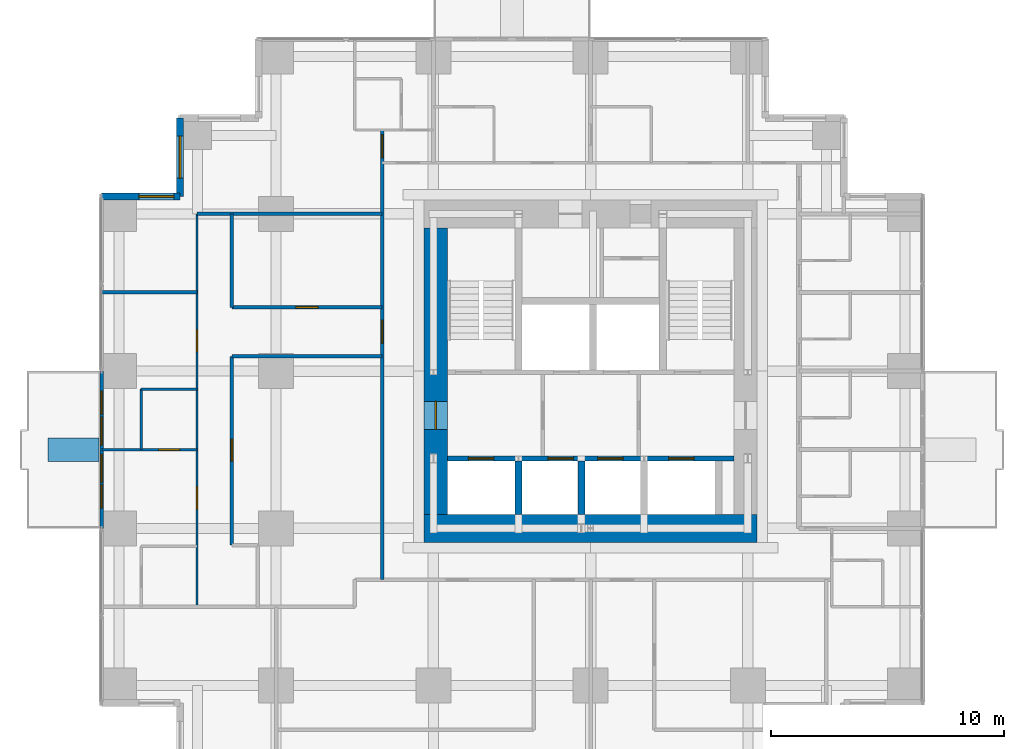
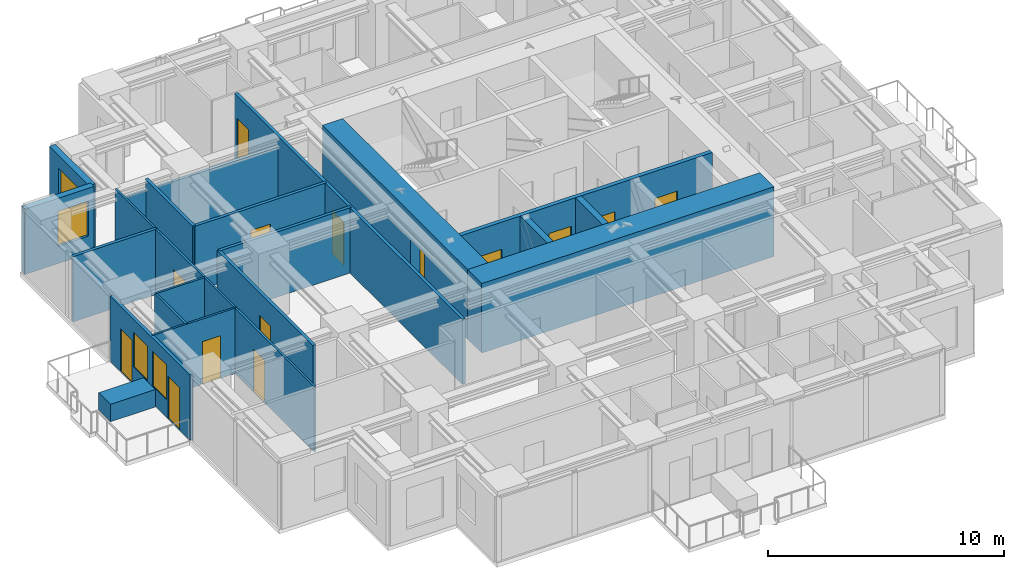
# One storey, part 6 of 10: 20 walls, 14 doors, 4 windows, 18 openings.
"""IFC4 building model written with IfcOpenShell, lengths in metres."""

from ifc_helpers import new_model, si_unit, direction, frame, frame_2d, origin, place, context, subcontext, project, spatial, rectangle, extrude, material, layer, layer_set, type_object, element, fill, save


model = new_model("IFC4")

# Units and contexts
model_context = context("Model", 3, precision=1e-05, world=origin(), true_north=direction((0.0, 1.0)))
body_context = subcontext(model_context, "Body", "Model", "MODEL_VIEW")
ifc_project = project(units=[si_unit("LENGTHUNIT", "METRE"), si_unit("AREAUNIT", "SQUARE_METRE"), si_unit("VOLUMEUNIT", "CUBIC_METRE"), si_unit("PLANEANGLEUNIT", "RADIAN"), si_unit("MASSUNIT", "GRAM", prefix="KILO")], contexts=[model_context])

# Site, building, storey
site_placement = place(None, origin())
site = spatial("IfcSite", under=ifc_project, at=site_placement, CompositionType="ELEMENT")
building_placement = place(site_placement, origin())
building = spatial("IfcBuilding", under=site, at=building_placement, Name="Nyansa Garden Tower", CompositionType="ELEMENT")
storey_placement = place(building_placement, frame((0.0, 0.0, 163.800048828125)))
storey = spatial("IfcBuildingStorey", under=building, at=storey_placement, Name="L44", CompositionType="ELEMENT", Elevation=163.800048828125)

# Wall, openings, doors, windows
ifc_material_1 = material(Name="Black aluminium framed glazed screen", Category="aluminium")
ifc_layer_1 = layer(ifc_material_1, 0.14990234375)
ifc_layer_set_1 = layer_set([ifc_layer_1], Name="Balcony screen wall BW150")
wall_type_1 = type_object("IfcWallType", Name="Balcony screen wall BW150", PredefinedType="SOLIDWALL", material=ifc_layer_set_1)
wall_1_placement = place(storey_placement, frame((-0.75, 13.5, 0.0), z_axis=(0.0, 0.0, 1.0), x_axis=(0.0, 1.0, 0.0)))
wall_1 = element("IfcWall", 1, at=wall_1_placement, inside=storey, type_object=wall_type_1, Name="Glazed screen wall L44 W", PredefinedType="SOLIDWALL", context=body_context, shape_type="SweptSolid", body=[
    extrude(rectangle(XDim=6.75, YDim=0.14990234375, at=frame_2d((3.375, 0.0))), origin(), (0.0, 0.0, 1.0), 3.375),
])
opening_1_placement = place(wall_1_placement, frame((0.862548828125, 0.0, 0.0)))
opening_1 = element("IfcOpeningElement", 2, at=opening_1_placement, cuts=wall_1, Name="Opening D20", PredefinedType="OPENING", context=body_context, shape_type="SweptSolid", body=[
    extrude(rectangle(XDim=1.0, YDim=2.199951171875, at=frame_2d((0.5, 1.10009765625))), frame((0.0, 0.0849609375, 0.0), z_axis=(0.0, -1.0, 0.0), x_axis=(1.0, 0.0, 0.0)), (0.0, 0.0, 1.0), 0.169921875),
])
opening_2_placement = place(wall_1_placement, frame((1.97509765625, 0.0, 0.89990234375)))
opening_2 = element("IfcOpeningElement", 3, at=opening_2_placement, cuts=wall_1, Name="Opening W6", PredefinedType="OPENING", context=body_context, shape_type="SweptSolid", body=[
    extrude(rectangle(XDim=1.199951171875, YDim=1.800048828125, at=frame_2d((0.60009765625, 0.89990234375))), frame((0.0, 0.0849609375, 0.0), z_axis=(0.0, -1.0, 0.0), x_axis=(1.0, 0.0, 0.0)), (0.0, 0.0, 1.0), 0.169921875),
])
opening_3_placement = place(wall_1_placement, frame((4.887451171875, 0.0, 0.0)))
opening_3 = element("IfcOpeningElement", 4, at=opening_3_placement, cuts=wall_1, Name="Opening D20", PredefinedType="OPENING", context=body_context, shape_type="SweptSolid", body=[
    extrude(rectangle(XDim=1.0, YDim=2.199951171875, at=frame_2d((0.5, 1.10009765625))), frame((0.0, 0.0849609375, 0.0), z_axis=(0.0, -1.0, 0.0), x_axis=(1.0, 0.0, 0.0)), (0.0, 0.0, 1.0), 0.169921875),
])
opening_4_placement = place(wall_1_placement, frame((3.574951171875, 0.0, 0.89990234375)))
opening_4 = element("IfcOpeningElement", 5, at=opening_4_placement, cuts=wall_1, Name="Opening W6", PredefinedType="OPENING", context=body_context, shape_type="SweptSolid", body=[
    extrude(rectangle(XDim=1.199951171875, YDim=1.800048828125, at=frame_2d((0.60009765625, 0.89990234375))), frame((0.0, 0.0849609375, 0.0), z_axis=(0.0, -1.0, 0.0), x_axis=(1.0, 0.0, 0.0)), (0.0, 0.0, 1.0), 0.169921875),
])
ifc_material_2 = material(Name="Black aluminium framed glazed door", Category="aluminium")
door_type_1 = type_object("IfcDoorType", Name="Balcony door D20 1000x2200", OperationType="NOTDEFINED", PredefinedType="DOOR", material=ifc_material_2)
door_1_placement = place(opening_1_placement, origin())
door_1 = element("IfcDoor", 6, at=door_1_placement, inside=storey, type_object=door_type_1, Name="Balcony door L44", OperationType="SINGLE_SWING_LEFT", OverallHeight=2.199951171875, OverallWidth=1.0, PredefinedType="DOOR", context=body_context, shape_type="SweptSolid", body=[
    extrude(rectangle(XDim=1.0, YDim=2.199951171875, at=frame_2d((0.5, 1.10009765625))), frame((0.0, 0.02490234375, 0.0), z_axis=(0.0, -1.0, 0.0), x_axis=(1.0, 0.0, 0.0)), (0.0, 0.0, 1.0), 0.050048828125),
])
fill(opening_1, door_1)
door_2_placement = place(opening_3_placement, origin())
door_2 = element("IfcDoor", 7, at=door_2_placement, inside=storey, type_object=door_type_1, Name="Balcony door L44", OperationType="SINGLE_SWING_RIGHT", OverallHeight=2.199951171875, OverallWidth=1.0, PredefinedType="DOOR", context=body_context, shape_type="SweptSolid", body=[
    extrude(rectangle(XDim=1.0, YDim=2.199951171875, at=frame_2d((0.5, 1.10009765625))), frame((0.0, 0.02490234375, 0.0), z_axis=(0.0, -1.0, 0.0), x_axis=(1.0, 0.0, 0.0)), (0.0, 0.0, 1.0), 0.050048828125),
])
fill(opening_3, door_2)
ifc_material_3 = material(Name="Black aluminium frame, dark tinted double glazing", Category="aluminium")
window_type_1 = type_object("IfcWindowType", Name="Balcony window W6 1200x1800", PartitioningType="SINGLE_PANEL", PredefinedType="WINDOW", material=ifc_material_3)
window_1_placement = place(opening_2_placement, origin())
window_1 = element("IfcWindow", 8, at=window_1_placement, inside=storey, type_object=window_type_1, Name="Window L44", OverallHeight=1.800048828125, OverallWidth=1.199951171875, PartitioningType="SINGLE_PANEL", PredefinedType="WINDOW", context=body_context, shape_type="SweptSolid", body=[
    extrude(rectangle(XDim=1.199951171875, YDim=1.800048828125, at=frame_2d((0.60009765625, 0.89990234375))), frame((0.0, 0.030029296875, 0.0), z_axis=(0.0, -1.0, 0.0), x_axis=(1.0, 0.0, 0.0)), (0.0, 0.0, 1.0), 0.06005859375),
])
fill(opening_2, window_1)
window_2_placement = place(opening_4_placement, origin())
window_2 = element("IfcWindow", 9, at=window_2_placement, inside=storey, type_object=window_type_1, Name="Window L44", OverallHeight=1.800048828125, OverallWidth=1.199951171875, PartitioningType="SINGLE_PANEL", PredefinedType="WINDOW", context=body_context, shape_type="SweptSolid", body=[
    extrude(rectangle(XDim=1.199951171875, YDim=1.800048828125, at=frame_2d((0.60009765625, 0.89990234375))), frame((0.0, 0.030029296875, 0.0), z_axis=(0.0, -1.0, 0.0), x_axis=(1.0, 0.0, 0.0)), (0.0, 0.0, 1.0), 0.06005859375),
])
fill(opening_4, window_2)

# Wall, openings, doors
ifc_material_4 = material(Name="Concrete C70/85", Category="concrete")
ifc_layer_2 = layer(ifc_material_4, 0.199951171875)
ifc_layer_set_2 = layer_set([ifc_layer_2], Name="Core inner wall CI200")
wall_type_2 = type_object("IfcWallType", Name="Core inner wall CI200", PredefinedType="SHEAR", material=ifc_layer_set_2)
wall_2_placement = place(storey_placement, frame((14.10009765625, 16.5, 0.0), z_axis=(0.0, 0.0, 1.0), x_axis=(1.0, 0.0, 0.0)))
wall_2 = element("IfcWall", 10, at=wall_2_placement, inside=storey, type_object=wall_type_2, Name="Core inner wall L44", PredefinedType="SHEAR", context=body_context, shape_type="SweptSolid", body=[
    extrude(rectangle(XDim=12.2998046875, YDim=0.199951171875, at=frame_2d((6.14990234375, 0.0))), origin(), (0.0, 0.0, 1.0), 3.599853515625),
])
opening_5_placement = place(wall_2_placement, frame((0.89990234375, 0.0, 0.0)))
opening_5 = element("IfcOpeningElement", 11, at=opening_5_placement, cuts=wall_2, Name="Opening LD-F", PredefinedType="OPENING", context=body_context, shape_type="SweptSolid", body=[
    extrude(rectangle(XDim=1.10009765625, YDim=2.199951171875, at=frame_2d((0.550048828125, 1.10009765625))), frame((0.0, 0.10986328125, 0.0), z_axis=(0.0, -1.0, 0.0), x_axis=(1.0, 0.0, 0.0)), (0.0, 0.0, 1.0), 0.219970703125),
])
opening_6_placement = place(wall_2_placement, frame((4.31005859375, 0.0, 0.0)))
opening_6 = element("IfcOpeningElement", 12, at=opening_6_placement, cuts=wall_2, Name="Opening LD-B", PredefinedType="OPENING", context=body_context, shape_type="SweptSolid", body=[
    extrude(rectangle(XDim=1.10009765625, YDim=2.199951171875, at=frame_2d((0.550048828125, 1.10009765625))), frame((0.0, 0.10986328125, 0.0), z_axis=(0.0, -1.0, 0.0), x_axis=(1.0, 0.0, 0.0)), (0.0, 0.0, 1.0), 0.219970703125),
])
opening_7_placement = place(wall_2_placement, frame((6.449951171875, 0.0, 0.0)))
opening_7 = element("IfcOpeningElement", 13, at=opening_7_placement, cuts=wall_2, Name="Opening LD-B", PredefinedType="OPENING", context=body_context, shape_type="SweptSolid", body=[
    extrude(rectangle(XDim=1.10009765625, YDim=2.199951171875, at=frame_2d((0.550048828125, 1.10009765625))), frame((0.0, 0.10986328125, 0.0), z_axis=(0.0, -1.0, 0.0), x_axis=(1.0, 0.0, 0.0)), (0.0, 0.0, 1.0), 0.219970703125),
])
opening_8_placement = place(wall_2_placement, frame((9.5, 0.0, 0.0)))
opening_8 = element("IfcOpeningElement", 14, at=opening_8_placement, cuts=wall_2, Name="Opening LD-F", PredefinedType="OPENING", context=body_context, shape_type="SweptSolid", body=[
    extrude(rectangle(XDim=1.10009765625, YDim=2.199951171875, at=frame_2d((0.550048828125, 1.10009765625))), frame((0.0, 0.10986328125, 0.0), z_axis=(0.0, -1.0, 0.0), x_axis=(1.0, 0.0, 0.0)), (0.0, 0.0, 1.0), 0.219970703125),
])
ifc_material_5 = material(Name="Stainless steel centre-opening landing door of the high-rise lift, E 120", Category="steel")
door_type_2 = type_object("IfcDoorType", Name="Lift landing door LD-B 1100x2200", OperationType="DOUBLE_DOOR_SLIDING", PredefinedType="DOOR", material=ifc_material_5)
door_3_placement = place(opening_6_placement, origin())
door_3 = element("IfcDoor", 15, at=door_3_placement, inside=storey, type_object=door_type_2, Name="Landing door B1", OperationType="DOUBLE_DOOR_SLIDING", OverallHeight=2.199951171875, OverallWidth=1.10009765625, PredefinedType="DOOR", context=body_context, shape_type="SweptSolid", body=[
    extrude(rectangle(XDim=1.10009765625, YDim=2.199951171875, at=frame_2d((0.550048828125, 1.10009765625))), frame((0.0, 0.02490234375, 0.0), z_axis=(0.0, -1.0, 0.0), x_axis=(1.0, 0.0, 0.0)), (0.0, 0.0, 1.0), 0.050048828125),
])
fill(opening_6, door_3)
door_4_placement = place(opening_7_placement, origin())
door_4 = element("IfcDoor", 16, at=door_4_placement, inside=storey, type_object=door_type_2, Name="Landing door B2", OperationType="DOUBLE_DOOR_SLIDING", OverallHeight=2.199951171875, OverallWidth=1.10009765625, PredefinedType="DOOR", context=body_context, shape_type="SweptSolid", body=[
    extrude(rectangle(XDim=1.10009765625, YDim=2.199951171875, at=frame_2d((0.550048828125, 1.10009765625))), frame((0.0, 0.02490234375, 0.0), z_axis=(0.0, -1.0, 0.0), x_axis=(1.0, 0.0, 0.0)), (0.0, 0.0, 1.0), 0.050048828125),
])
fill(opening_7, door_4)
ifc_material_6 = material(Name="Stainless steel centre-opening landing door of the firefighting lift, EN 81-72, E 120", Category="steel")
door_type_3 = type_object("IfcDoorType", Name="Lift landing door LD-F 1100x2200", OperationType="DOUBLE_DOOR_SLIDING", PredefinedType="DOOR", material=ifc_material_6)
door_5_placement = place(opening_5_placement, origin())
door_5 = element("IfcDoor", 17, at=door_5_placement, inside=storey, type_object=door_type_3, Name="Landing door FF1", OperationType="DOUBLE_DOOR_SLIDING", OverallHeight=2.199951171875, OverallWidth=1.10009765625, PredefinedType="DOOR", context=body_context, shape_type="SweptSolid", body=[
    extrude(rectangle(XDim=1.10009765625, YDim=2.199951171875, at=frame_2d((0.550048828125, 1.10009765625))), frame((0.0, 0.02490234375, 0.0), z_axis=(0.0, -1.0, 0.0), x_axis=(1.0, 0.0, 0.0)), (0.0, 0.0, 1.0), 0.050048828125),
])
fill(opening_5, door_5)
door_6_placement = place(opening_8_placement, origin())
door_6 = element("IfcDoor", 18, at=door_6_placement, inside=storey, type_object=door_type_3, Name="Landing door FF2", OperationType="DOUBLE_DOOR_SLIDING", OverallHeight=2.199951171875, OverallWidth=1.10009765625, PredefinedType="DOOR", context=body_context, shape_type="SweptSolid", body=[
    extrude(rectangle(XDim=1.10009765625, YDim=2.199951171875, at=frame_2d((0.550048828125, 1.10009765625))), frame((0.0, 0.02490234375, 0.0), z_axis=(0.0, -1.0, 0.0), x_axis=(1.0, 0.0, 0.0)), (0.0, 0.0, 1.0), 0.050048828125),
])
fill(opening_8, door_6)

# Walls
ifc_material_7 = material(Name="Concrete C70/85", Category="concrete")
ifc_layer_3 = layer(ifc_material_7, 0.300048828125)
ifc_layer_set_3 = layer_set([ifc_layer_3], Name="Core inner wall CI300")
wall_type_3 = type_object("IfcWallType", Name="Core inner wall CI300", PredefinedType="SHEAR", material=ifc_layer_set_3)
for number, where, z_axis, x_axis, name in (
    (19, (17.14990234375, 14.10009765625, 0.0), (0.0, 0.0, 1.0), (0.0, 1.0, 0.0), "Core inner wall L44"),
    (20, (19.85009765625, 14.10009765625, 0.0), (0.0, 0.0, 1.0), (0.0, 1.0, 0.0), "Core inner wall L44"),
):
    element("IfcWall", number, at=place(storey_placement, frame(where, z_axis=z_axis, x_axis=x_axis)), inside=storey, type_object=wall_type_3, Name=name, PredefinedType="SHEAR", context=body_context, shape_type="SweptSolid", body=[
        extrude(rectangle(XDim=2.2998046875, YDim=0.300048828125, at=frame_2d((1.14990234375, 0.0))), origin(), (0.0, 0.0, 1.0), 3.599853515625),
    ])

# Wall, opening, door
ifc_material_8 = material(Name="Concrete C80/95", Category="concrete")
ifc_layer_4 = layer(ifc_material_8, 1.0)
ifc_layer_set_4 = layer_set([ifc_layer_4], Name="Core wall CW1000")
wall_type_4 = type_object("IfcWallType", Name="Core wall CW1000", PredefinedType="SHEAR", material=ifc_layer_set_4)
wall_3_placement = place(storey_placement, frame((13.60009765625, 26.39990234375, 0.0), z_axis=(0.0, 0.0, 1.0), x_axis=(0.0, -1.0, 0.0)))
wall_3 = element("IfcWall", 21, at=wall_3_placement, inside=storey, type_object=wall_type_4, Name="Core wall W L44", PredefinedType="SHEAR", context=body_context, shape_type="SweptSolid", body=[
    extrude(rectangle(XDim=12.2998046875, YDim=1.0, at=frame_2d((6.14990234375, 0.0))), origin(), (0.0, 0.0, 1.0), 3.599853515625),
])
opening_9_placement = place(wall_3_placement, frame((7.449951171875, 0.0, 0.0)))
opening_9 = element("IfcOpeningElement", 22, at=opening_9_placement, cuts=wall_3, Name="Opening D06", PredefinedType="OPENING", context=body_context, shape_type="SweptSolid", body=[
    extrude(rectangle(XDim=1.199951171875, YDim=2.199951171875, at=frame_2d((0.60009765625, 1.10009765625))), frame((0.0, 0.510009765625, 0.0), z_axis=(0.0, -1.0, 0.0), x_axis=(1.0, 0.0, 0.0)), (0.0, 0.0, 1.0), 1.02001953125),
])
ifc_material_9 = material(Name="Steel door, 120 minute fire resisting", Category="steel")
door_type_4 = type_object("IfcDoorType", Name="Lobby door D06 1200x2200", OperationType="DOUBLE_DOOR_SINGLE_SWING", PredefinedType="DOOR", material=ifc_material_9)
door_7_placement = place(opening_9_placement, origin())
door_7 = element("IfcDoor", 23, at=door_7_placement, inside=storey, type_object=door_type_4, Name="Lift lobby door west", OperationType="DOUBLE_DOOR_SINGLE_SWING", OverallHeight=2.199951171875, OverallWidth=1.199951171875, PredefinedType="DOOR", context=body_context, shape_type="SweptSolid", body=[
    extrude(rectangle(XDim=1.199951171875, YDim=2.199951171875, at=frame_2d((0.60009765625, 1.10009765625))), frame((0.0, 0.02490234375, 0.0), z_axis=(0.0, -1.0, 0.0), x_axis=(1.0, 0.0, 0.0)), (0.0, 0.0, 1.0), 0.050048828125),
])
fill(opening_9, door_7)

# Walls
ifc_material_10 = material(Name="Concrete C80/95", Category="concrete")
ifc_layer_5 = layer(ifc_material_10, 1.199951171875)
ifc_layer_set_5 = layer_set([ifc_layer_5], Name="Core wall CW1200")
wall_type_5 = type_object("IfcWallType", Name="Core wall CW1200", PredefinedType="SHEAR", material=ifc_layer_set_5)
wall_4_placement = place(storey_placement, frame((13.10009765625, 13.5, 0.0), z_axis=(0.0, 0.0, 1.0), x_axis=(1.0, 0.0, 0.0)))
element("IfcWall", 24, at=wall_4_placement, inside=storey, type_object=wall_type_5, Name="Core wall S L44", PredefinedType="SHEAR", context=body_context, shape_type="SweptSolid", body=[
    extrude(rectangle(XDim=14.2998046875, YDim=1.199951171875, at=frame_2d((7.14990234375, 0.0))), origin(), (0.0, 0.0, 1.0), 3.599853515625),
])
ifc_material_11 = material(Name="Blockwork, plastered both sides", Category="masonry")
ifc_layer_6 = layer(ifc_material_11, 0.14990234375)
ifc_layer_set_6 = layer_set([ifc_layer_6], Name="Partition PW150")
wall_type_6 = type_object("IfcWallType", Name="Partition PW150", PredefinedType="PARTITIONING", material=ifc_layer_set_6)
wall_5_placement = place(storey_placement, frame((-0.73388671875, 23.625, 0.0), z_axis=(0.0, 0.0, 1.0), x_axis=(1.0, 0.0, 0.0)))
element("IfcWall", 25, at=wall_5_placement, inside=storey, type_object=wall_type_6, Name="Partition", PredefinedType="PARTITIONING", context=body_context, shape_type="SweptSolid", body=[
    extrude(rectangle(XDim=4.083984375, YDim=0.14990234375, at=frame_2d((2.0419921875, 0.0))), origin(), (0.0, 0.0, 1.0), 3.375),
])
wall_6_placement = place(storey_placement, frame((3.35009765625, 27.0, 0.0), z_axis=(0.0, 0.0, 1.0), x_axis=(1.0, 0.0, 0.0)))
element("IfcWall", 26, at=wall_6_placement, inside=storey, type_object=wall_type_6, Name="Partition", PredefinedType="PARTITIONING", context=body_context, shape_type="SweptSolid", body=[
    extrude(rectangle(XDim=7.949951171875, YDim=0.14990234375, at=frame_2d((3.97509765625, 0.0))), origin(), (0.0, 0.0, 1.0), 2.805908203125),
])

# Wall, opening, door
wall_7_placement = place(storey_placement, frame((4.85009765625, 12.77490234375, 0.0), z_axis=(0.0, 0.0, 1.0), x_axis=(0.0, 1.0, 0.0)))
wall_7 = element("IfcWall", 27, at=wall_7_placement, inside=storey, type_object=wall_type_6, Name="Partition", PredefinedType="PARTITIONING", context=body_context, shape_type="SweptSolid", body=[
    extrude(rectangle(XDim=8.112548828125, YDim=0.14990234375, at=frame_2d((4.05615234375, 0.0))), origin(), (0.0, 0.0, 1.0), 3.375),
])
opening_10_placement = place(wall_7_placement, frame((3.60009765625, 0.0, 0.0)))
opening_10 = element("IfcOpeningElement", 28, at=opening_10_placement, cuts=wall_7, Name="Opening D01", PredefinedType="OPENING", context=body_context, shape_type="SweptSolid", body=[
    extrude(rectangle(XDim=0.949951171875, YDim=2.199951171875, at=frame_2d((0.47509765625, 1.10009765625))), frame((0.0, 0.0849609375, 0.0), z_axis=(0.0, -1.0, 0.0), x_axis=(1.0, 0.0, 0.0)), (0.0, 0.0, 1.0), 0.169921875),
])
ifc_material_12 = material(Name="Timber flush door, 30 minute fire resisting", Category="wood")
door_type_5 = type_object("IfcDoorType", Name="Bedroom door D01 950x2200", OperationType="SINGLE_SWING_LEFT", PredefinedType="DOOR", material=ifc_material_12)
door_8_placement = place(opening_10_placement, origin())
door_8 = element("IfcDoor", 29, at=door_8_placement, inside=storey, type_object=door_type_5, Name="Door L44-056", OperationType="SINGLE_SWING_LEFT", OverallHeight=2.199951171875, OverallWidth=0.949951171875, PredefinedType="DOOR", context=body_context, shape_type="SweptSolid", body=[
    extrude(rectangle(XDim=0.949951171875, YDim=2.199951171875, at=frame_2d((0.47509765625, 1.10009765625))), frame((0.0, 0.02490234375, 0.0), z_axis=(0.0, -1.0, 0.0), x_axis=(1.0, 0.0, 0.0)), (0.0, 0.0, 1.0), 0.050048828125),
])
fill(opening_10, door_8)

# Walls
wall_8_placement = place(storey_placement, frame((4.85009765625, 20.886962890625, 0.0), z_axis=(0.0, 0.0, 1.0), x_axis=(1.0, 0.0, 0.0)))
element("IfcWall", 30, at=wall_8_placement, inside=storey, type_object=wall_type_6, Name="Partition", PredefinedType="PARTITIONING", context=body_context, shape_type="SweptSolid", body=[
    extrude(rectangle(XDim=6.449951171875, YDim=0.14990234375, at=frame_2d((3.22509765625, 0.0))), origin(), (0.0, 0.0, 1.0), 3.375),
])
wall_9_placement = place(storey_placement, frame((4.85009765625, 22.987548828125, 0.0), z_axis=(0.0, 0.0, 1.0), x_axis=(0.0, 1.0, 0.0)))
element("IfcWall", 31, at=wall_9_placement, inside=storey, type_object=wall_type_6, Name="Partition", PredefinedType="PARTITIONING", context=body_context, shape_type="SweptSolid", body=[
    extrude(rectangle(XDim=4.012451171875, YDim=0.14990234375, at=frame_2d((2.00634765625, 0.0))), origin(), (0.0, 0.0, 1.0), 3.375),
])

# Wall, opening, door
wall_10_placement = place(storey_placement, frame((4.85009765625, 22.988037109375, 0.0), z_axis=(0.0, 0.0, 1.0), x_axis=(1.0, 0.0, 0.0)))
wall_10 = element("IfcWall", 32, at=wall_10_placement, inside=storey, type_object=wall_type_6, Name="Partition", PredefinedType="PARTITIONING", context=body_context, shape_type="SweptSolid", body=[
    extrude(rectangle(XDim=6.449951171875, YDim=0.14990234375, at=frame_2d((3.22509765625, 0.0))), origin(), (0.0, 0.0, 1.0), 3.375),
])
opening_11_placement = place(wall_10_placement, frame((2.75, 0.0, 0.0)))
opening_11 = element("IfcOpeningElement", 33, at=opening_11_placement, cuts=wall_10, Name="Opening D01", PredefinedType="OPENING", context=body_context, shape_type="SweptSolid", body=[
    extrude(rectangle(XDim=0.949951171875, YDim=2.199951171875, at=frame_2d((0.47509765625, 1.10009765625))), frame((0.0, 0.0849609375, 0.0), z_axis=(0.0, -1.0, 0.0), x_axis=(1.0, 0.0, 0.0)), (0.0, 0.0, 1.0), 0.169921875),
])
door_9_placement = place(opening_11_placement, origin())
door_9 = element("IfcDoor", 34, at=door_9_placement, inside=storey, type_object=door_type_5, Name="Door L44-057", OperationType="SINGLE_SWING_LEFT", OverallHeight=2.199951171875, OverallWidth=0.949951171875, PredefinedType="DOOR", context=body_context, shape_type="SweptSolid", body=[
    extrude(rectangle(XDim=0.949951171875, YDim=2.199951171875, at=frame_2d((0.47509765625, 1.10009765625))), frame((0.0, 0.02490234375, 0.0), z_axis=(0.0, -1.0, 0.0), x_axis=(1.0, 0.0, 0.0)), (0.0, 0.0, 1.0), 0.050048828125),
])
fill(opening_11, door_9)

# Wall, openings, doors
wall_11_placement = place(storey_placement, frame((11.300048828125, 11.300048828125, 0.0), z_axis=(0.0, 0.0, 1.0), x_axis=(0.0, 1.0, 0.0)))
wall_11 = element("IfcWall", 35, at=wall_11_placement, inside=storey, type_object=wall_type_6, Name="Partition", PredefinedType="PARTITIONING", context=body_context, shape_type="SweptSolid", body=[
    extrude(rectangle(XDim=19.300048828125, YDim=0.14990234375, at=frame_2d((9.64990234375, 0.0))), origin(), (0.0, 0.0, 1.0), 3.375),
])
opening_12_placement = place(wall_11_placement, frame((18.10009765625, 0.0, 0.0)))
opening_12 = element("IfcOpeningElement", 36, at=opening_12_placement, cuts=wall_11, Name="Opening D03", PredefinedType="OPENING", context=body_context, shape_type="SweptSolid", body=[
    extrude(rectangle(XDim=1.0, YDim=2.199951171875, at=frame_2d((0.5, 1.10009765625))), frame((0.0, 0.0849609375, 0.0), z_axis=(0.0, -1.0, 0.0), x_axis=(1.0, 0.0, 0.0)), (0.0, 0.0, 1.0), 0.169921875),
])
opening_13_placement = place(wall_11_placement, frame((10.137451171875, 0.0, 0.0)))
opening_13 = element("IfcOpeningElement", 37, at=opening_13_placement, cuts=wall_11, Name="Opening D03", PredefinedType="OPENING", context=body_context, shape_type="SweptSolid", body=[
    extrude(rectangle(XDim=1.0, YDim=2.199951171875, at=frame_2d((0.5, 1.10009765625))), frame((0.0, 0.0849609375, 0.0), z_axis=(0.0, -1.0, 0.0), x_axis=(1.0, 0.0, 0.0)), (0.0, 0.0, 1.0), 0.169921875),
])
ifc_material_13 = material(Name="Timber flush door, 60 minute fire resisting", Category="wood")
door_type_6 = type_object("IfcDoorType", Name="Cluster entrance door D03 1000x2200", OperationType="SINGLE_SWING_LEFT", PredefinedType="DOOR", material=ifc_material_13)
door_10_placement = place(opening_12_placement, origin())
door_10 = element("IfcDoor", 38, at=door_10_placement, inside=storey, type_object=door_type_6, Name="Door L44-050", OperationType="SINGLE_SWING_LEFT", OverallHeight=2.199951171875, OverallWidth=1.0, PredefinedType="DOOR", context=body_context, shape_type="SweptSolid", body=[
    extrude(rectangle(XDim=1.0, YDim=2.199951171875, at=frame_2d((0.5, 1.10009765625))), frame((0.0, 0.02490234375, 0.0), z_axis=(0.0, -1.0, 0.0), x_axis=(1.0, 0.0, 0.0)), (0.0, 0.0, 1.0), 0.050048828125),
])
fill(opening_12, door_10)
door_11_placement = place(opening_13_placement, origin())
door_11 = element("IfcDoor", 39, at=door_11_placement, inside=storey, type_object=door_type_6, Name="Door L44-055", OperationType="SINGLE_SWING_LEFT", OverallHeight=2.199951171875, OverallWidth=1.0, PredefinedType="DOOR", context=body_context, shape_type="SweptSolid", body=[
    extrude(rectangle(XDim=1.0, YDim=2.199951171875, at=frame_2d((0.5, 1.10009765625))), frame((0.0, 0.02490234375, 0.0), z_axis=(0.0, -1.0, 0.0), x_axis=(1.0, 0.0, 0.0)), (0.0, 0.0, 1.0), 0.050048828125),
])
fill(opening_13, door_11)

# Wall, opening, window
ifc_material_14 = material(Name="Turquoise glazed tile on concrete blockwork", Category="masonry")
ifc_layer_7 = layer(ifc_material_14, 0.300048828125)
ifc_layer_set_7 = layer_set([ifc_layer_7], Name="Tiled corner wall TW300")
wall_type_7 = type_object("IfcWallType", Name="Tiled corner wall TW300", PredefinedType="SOLIDWALL", material=ifc_layer_set_7)
wall_12_placement = place(storey_placement, frame((2.625, 31.125, 0.0), z_axis=(0.0, 0.0, 1.0), x_axis=(0.0, -1.0, 0.0)))
wall_12 = element("IfcWall", 40, at=wall_12_placement, inside=storey, type_object=wall_type_7, Name="Tiled corner wall L44", PredefinedType="SOLIDWALL", context=body_context, shape_type="SweptSolid", body=[
    extrude(rectangle(XDim=3.375, YDim=0.300048828125, at=frame_2d((1.6875, 0.0))), origin(), (0.0, 0.0, 1.0), 3.375),
])
opening_14_placement = place(wall_12_placement, frame((0.78759765625, 0.0, 0.60009765625)))
opening_14 = element("IfcOpeningElement", 41, at=opening_14_placement, cuts=wall_12, Name="Opening W2", PredefinedType="OPENING", context=body_context, shape_type="SweptSolid", body=[
    extrude(rectangle(XDim=1.800048828125, YDim=2.10009765625, at=frame_2d((0.89990234375, 1.050048828125))), frame((0.0, 0.159912109375, 0.0), z_axis=(0.0, -1.0, 0.0), x_axis=(1.0, 0.0, 0.0)), (0.0, 0.0, 1.0), 0.320068359375),
])
ifc_material_15 = material(Name="Black aluminium frame, dark tinted double glazing", Category="aluminium")
window_type_2 = type_object("IfcWindowType", Name="Window W2 1800x2100", PartitioningType="SINGLE_PANEL", PredefinedType="WINDOW", material=ifc_material_15)
window_3_placement = place(opening_14_placement, origin())
window_3 = element("IfcWindow", 42, at=window_3_placement, inside=storey, type_object=window_type_2, Name="Corner window L44", OverallHeight=2.10009765625, OverallWidth=1.800048828125, PartitioningType="SINGLE_PANEL", PredefinedType="WINDOW", context=body_context, shape_type="SweptSolid", body=[
    extrude(rectangle(XDim=1.800048828125, YDim=2.10009765625, at=frame_2d((0.89990234375, 1.050048828125))), frame((0.0, 0.030029296875, 0.0), z_axis=(0.0, -1.0, 0.0), x_axis=(1.0, 0.0, 0.0)), (0.0, 0.0, 1.0), 0.06005859375),
])
fill(opening_14, window_3)

wall_13_placement = place(storey_placement, frame((2.625, 27.75, 0.0), z_axis=(0.0, 0.0, 1.0), x_axis=(-1.0, 0.0, 0.0)))
wall_13 = element("IfcWall", 43, at=wall_13_placement, inside=storey, type_object=wall_type_7, Name="Tiled corner wall L44", PredefinedType="SOLIDWALL", context=body_context, shape_type="SweptSolid", body=[
    extrude(rectangle(XDim=3.375, YDim=0.300048828125, at=frame_2d((1.6875, 0.0))), origin(), (0.0, 0.0, 1.0), 3.375),
])
opening_15_placement = place(wall_13_placement, frame((0.267578125, 0.0, 0.89990234375)))
opening_15 = element("IfcOpeningElement", 44, at=opening_15_placement, cuts=wall_13, Name="Opening W1", PredefinedType="OPENING", context=body_context, shape_type="SweptSolid", body=[
    extrude(rectangle(XDim=1.5, YDim=1.800048828125, at=frame_2d((0.75, 0.89990234375))), frame((0.0, 0.159912109375, 0.0), z_axis=(0.0, -1.0, 0.0), x_axis=(1.0, 0.0, 0.0)), (0.0, 0.0, 1.0), 0.320068359375),
])
ifc_material_16 = material(Name="Black aluminium frame, dark tinted double glazing", Category="aluminium")
window_type_3 = type_object("IfcWindowType", Name="Window W1 1500x1800", PartitioningType="SINGLE_PANEL", PredefinedType="WINDOW", material=ifc_material_16)
window_4_placement = place(opening_15_placement, origin())
window_4 = element("IfcWindow", 45, at=window_4_placement, inside=storey, type_object=window_type_3, Name="Corner window L44", OverallHeight=1.800048828125, OverallWidth=1.5, PartitioningType="SINGLE_PANEL", PredefinedType="WINDOW", context=body_context, shape_type="SweptSolid", body=[
    extrude(rectangle(XDim=1.5, YDim=1.800048828125, at=frame_2d((0.75, 0.89990234375))), frame((0.0, 0.030029296875, 0.0), z_axis=(0.0, -1.0, 0.0), x_axis=(1.0, 0.0, 0.0)), (0.0, 0.0, 1.0), 0.06005859375),
])
fill(opening_15, window_4)

# Wall
ifc_material_17 = material(Name="Concrete C40/50 planter, waterproofed", Category="concrete")
ifc_layer_8 = layer(ifc_material_17, 1.0)
ifc_layer_set_8 = layer_set([ifc_layer_8], Name="Tree planter TP1")
wall_type_8 = type_object("IfcWallType", Name="Tree planter TP1", PredefinedType="USERDEFINED", material=ifc_layer_set_8)
wall_14_placement = place(storey_placement, frame((-0.85009765625, 16.875, 0.0), z_axis=(0.0, 0.0, 1.0), x_axis=(-1.0, 0.0, 0.0)))
element("IfcWall", 46, at=wall_14_placement, inside=storey, type_object=wall_type_8, Name="Tree planter L44", ObjectType="TREE PLANTER", PredefinedType="USERDEFINED", context=body_context, shape_type="SweptSolid", body=[
    extrude(rectangle(XDim=2.199951171875, YDim=1.0, at=frame_2d((1.10009765625, 0.0))), origin(), (0.0, 0.0, 1.0), 0.89990234375),
])

# Wall, opening, door
ifc_material_18 = material(Name="Moisture resistant board on steel studs, tiled", Category="steel")
ifc_layer_9 = layer(ifc_material_18, 0.10009765625)
ifc_layer_set_9 = layer_set([ifc_layer_9], Name="Wet wall PW100")
wall_type_9 = type_object("IfcWallType", Name="Wet wall PW100", PredefinedType="PARTITIONING", material=ifc_layer_set_9)
wall_15_placement = place(storey_placement, frame((-0.73388671875, 16.875, 0.0), z_axis=(0.0, 0.0, 1.0), x_axis=(1.0, 0.0, 0.0)))
wall_15 = element("IfcWall", 47, at=wall_15_placement, inside=storey, type_object=wall_type_9, Name="Wet wall", PredefinedType="PARTITIONING", context=body_context, shape_type="SweptSolid", body=[
    extrude(rectangle(XDim=4.083984375, YDim=0.10009765625, at=frame_2d((2.0419921875, 0.0))), origin(), (0.0, 0.0, 1.0), 3.375),
])
opening_16_placement = place(wall_15_placement, frame((2.43408203125, 0.0, 0.0)))
opening_16 = element("IfcOpeningElement", 48, at=opening_16_placement, cuts=wall_15, Name="Opening D02", PredefinedType="OPENING", context=body_context, shape_type="SweptSolid", body=[
    extrude(rectangle(XDim=0.89990234375, YDim=2.199951171875, at=frame_2d((0.449951171875, 1.10009765625))), frame((0.0, 0.06005859375, 0.0), z_axis=(0.0, -1.0, 0.0), x_axis=(1.0, 0.0, 0.0)), (0.0, 0.0, 1.0), 0.1201171875),
])
ifc_material_19 = material(Name="Timber flush door", Category="wood")
door_type_7 = type_object("IfcDoorType", Name="En-suite door D02 900x2200", OperationType="SINGLE_SWING_RIGHT", PredefinedType="DOOR", material=ifc_material_19)
door_12_placement = place(opening_16_placement, origin())
door_12 = element("IfcDoor", 49, at=door_12_placement, inside=storey, type_object=door_type_7, Name="Door L44-054", OperationType="SINGLE_SWING_RIGHT", OverallHeight=2.199951171875, OverallWidth=0.89990234375, PredefinedType="DOOR", context=body_context, shape_type="SweptSolid", body=[
    extrude(rectangle(XDim=0.89990234375, YDim=2.199951171875, at=frame_2d((0.449951171875, 1.10009765625))), frame((0.0, 0.02490234375, 0.0), z_axis=(0.0, -1.0, 0.0), x_axis=(1.0, 0.0, 0.0)), (0.0, 0.0, 1.0), 0.050048828125),
])
fill(opening_16, door_12)

# Walls
wall_16_placement = place(storey_placement, frame((0.949951171875, 16.875, 0.0), z_axis=(0.0, 0.0, 1.0), x_axis=(0.0, 1.0, 0.0)))
element("IfcWall", 50, at=wall_16_placement, inside=storey, type_object=wall_type_9, Name="Wet wall", PredefinedType="PARTITIONING", context=body_context, shape_type="SweptSolid", body=[
    extrude(rectangle(XDim=2.60009765625, YDim=0.10009765625, at=frame_2d((1.300048828125, 0.0))), origin(), (0.0, 0.0, 1.0), 3.375),
])
wall_17_placement = place(storey_placement, frame((0.949951171875, 19.47509765625, 0.0), z_axis=(0.0, 0.0, 1.0), x_axis=(1.0, 0.0, 0.0)))
element("IfcWall", 51, at=wall_17_placement, inside=storey, type_object=wall_type_9, Name="Wet wall", PredefinedType="PARTITIONING", context=body_context, shape_type="SweptSolid", body=[
    extrude(rectangle(XDim=2.400146484375, YDim=0.10009765625, at=frame_2d((1.2001953125, 0.0))), origin(), (0.0, 0.0, 1.0), 3.375),
])

# Wall, openings, doors
wall_18_placement = place(storey_placement, frame((3.35009765625, 10.125, 0.0), z_axis=(0.0, 0.0, 1.0), x_axis=(0.0, 1.0, 0.0)))
wall_18 = element("IfcWall", 52, at=wall_18_placement, inside=storey, type_object=wall_type_9, Name="Wet wall", PredefinedType="PARTITIONING", context=body_context, shape_type="SweptSolid", body=[
    extrude(rectangle(XDim=16.875, YDim=0.10009765625, at=frame_2d((8.4375, 0.0))), origin(), (0.0, 0.0, 1.0), 3.375),
])
opening_17_placement = place(wall_18_placement, frame((4.199951171875, 0.0, 0.0)))
opening_17 = element("IfcOpeningElement", 53, at=opening_17_placement, cuts=wall_18, Name="Opening D14", PredefinedType="OPENING", context=body_context, shape_type="SweptSolid", body=[
    extrude(rectangle(XDim=0.949951171875, YDim=2.199951171875, at=frame_2d((0.47509765625, 1.10009765625))), frame((0.0, 0.06005859375, 0.0), z_axis=(0.0, -1.0, 0.0), x_axis=(1.0, 0.0, 0.0)), (0.0, 0.0, 1.0), 0.1201171875),
])
opening_18_placement = place(wall_18_placement, frame((10.949951171875, 0.0, 0.0)))
opening_18 = element("IfcOpeningElement", 54, at=opening_18_placement, cuts=wall_18, Name="Opening D14", PredefinedType="OPENING", context=body_context, shape_type="SweptSolid", body=[
    extrude(rectangle(XDim=0.949951171875, YDim=2.199951171875, at=frame_2d((0.47509765625, 1.10009765625))), frame((0.0, 0.06005859375, 0.0), z_axis=(0.0, -1.0, 0.0), x_axis=(1.0, 0.0, 0.0)), (0.0, 0.0, 1.0), 0.1201171875),
])
ifc_material_20 = material(Name="Timber flush door, 60 minute fire resisting, self-closing", Category="wood")
door_type_8 = type_object("IfcDoorType", Name="Studio entrance door D14 950x2200", OperationType="SINGLE_SWING_LEFT", PredefinedType="DOOR", material=ifc_material_20)
door_13_placement = place(opening_17_placement, origin())
door_13 = element("IfcDoor", 55, at=door_13_placement, inside=storey, type_object=door_type_8, Name="Door L44-051", OperationType="SINGLE_SWING_LEFT", OverallHeight=2.199951171875, OverallWidth=0.949951171875, PredefinedType="DOOR", context=body_context, shape_type="SweptSolid", body=[
    extrude(rectangle(XDim=0.949951171875, YDim=2.199951171875, at=frame_2d((0.47509765625, 1.10009765625))), frame((0.0, 0.02490234375, 0.0), z_axis=(0.0, -1.0, 0.0), x_axis=(1.0, 0.0, 0.0)), (0.0, 0.0, 1.0), 0.050048828125),
])
fill(opening_17, door_13)
door_14_placement = place(opening_18_placement, origin())
door_14 = element("IfcDoor", 56, at=door_14_placement, inside=storey, type_object=door_type_8, Name="Door L44-053", OperationType="SINGLE_SWING_LEFT", OverallHeight=2.199951171875, OverallWidth=0.949951171875, PredefinedType="DOOR", context=body_context, shape_type="SweptSolid", body=[
    extrude(rectangle(XDim=0.949951171875, YDim=2.199951171875, at=frame_2d((0.47509765625, 1.10009765625))), frame((0.0, 0.02490234375, 0.0), z_axis=(0.0, -1.0, 0.0), x_axis=(1.0, 0.0, 0.0)), (0.0, 0.0, 1.0), 0.050048828125),
])
fill(opening_18, door_14)

save(model, "model.ifc")
